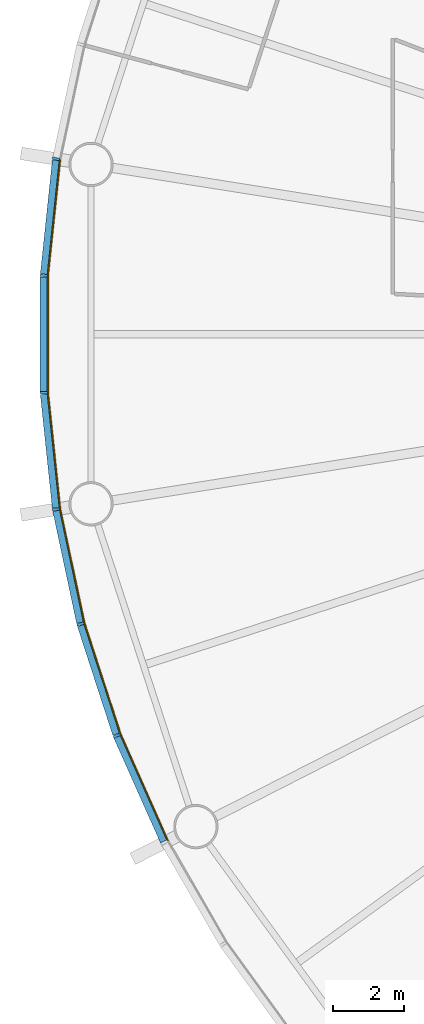
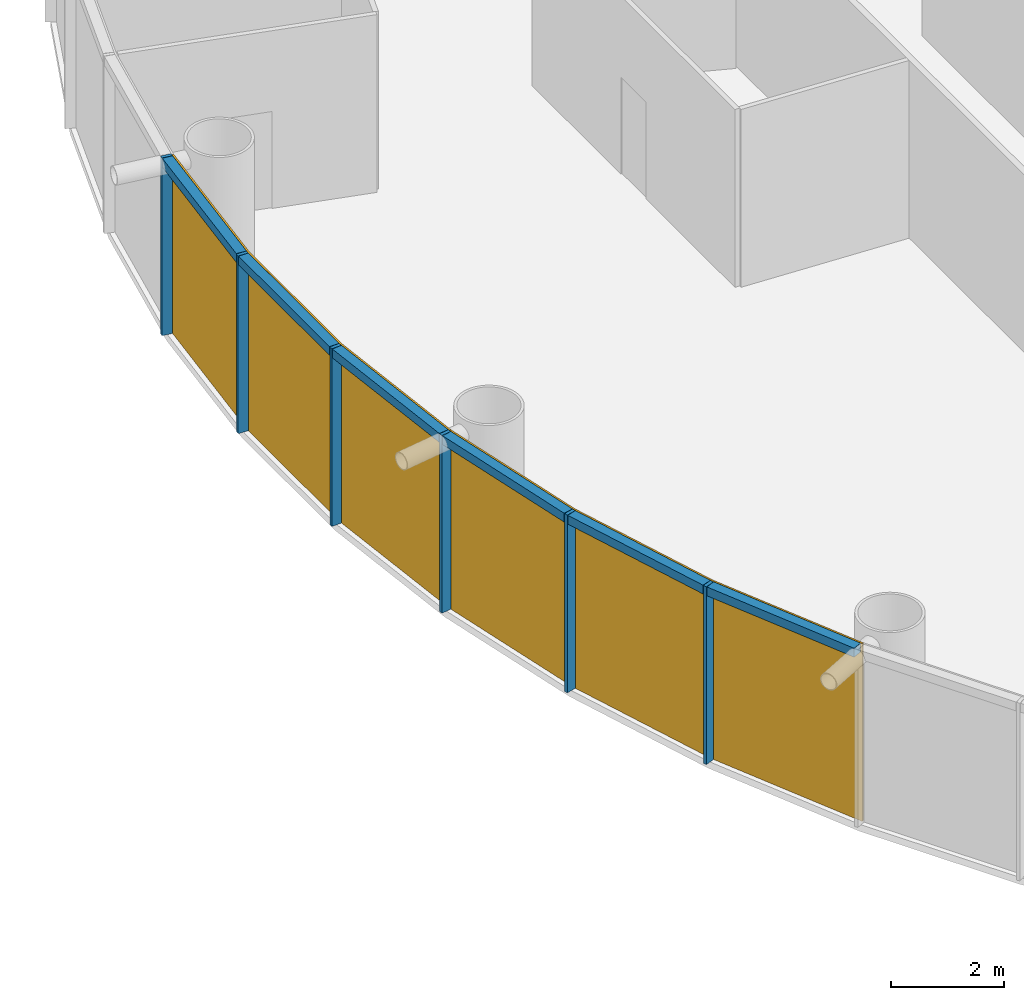
# One storey, part 7 of 12: 12 members, 2 curtain walls.
"""IFC4 building model written with IfcOpenShell, lengths in metres."""

from ifc_helpers import new_model, si_unit, direction, frame, origin, origin_2d, place, context, subcontext, project, spatial, polyline, rectangle, outline, extrude, material, layer, layer_set, material_profile, profile_set, type_object, element, aggregate, save


model = new_model("IFC4")

# Units and contexts
model_context = context("Model", 3, precision=1e-05, world=origin(), true_north=direction((0.0, 1.0)))
body_context = subcontext(model_context, "Body", "Model", "MODEL_VIEW")
ifc_project = project(units=[si_unit("LENGTHUNIT", "METRE"), si_unit("AREAUNIT", "SQUARE_METRE"), si_unit("VOLUMEUNIT", "CUBIC_METRE"), si_unit("PLANEANGLEUNIT", "RADIAN"), si_unit("MASSUNIT", "GRAM", prefix="KILO")], contexts=[model_context])

# Member
ifc_material_1 = material(Name="Anodised aluminium", Category="aluminium")
ifc_material_profile_1 = material_profile(ifc_material_1, rectangle(XDim=0.070068359375, YDim=0.199951171875, at=origin_2d()), Name="Mullion 70 x 200 mm anodised aluminium")
ifc_profile_set_1 = profile_set([ifc_material_profile_1], Name="Anodised aluminium")
member_type_1 = type_object("IfcMemberType", Name="Mullion 70 x 200 mm anodised aluminium", PredefinedType="MULLION", material=ifc_profile_set_1)
site_placement = place(None, origin())
building_placement = place(site_placement, origin())
storey_placement = place(building_placement, frame((0.0, 0.0, 128.0)))
member_1_placement = place(storey_placement, frame((58.7890625, 84.943359375, 0.0), z_axis=(0.0, 0.0, 1.0), x_axis=(-0.15643446504, -0.987688340595, 0.0)))
member_1 = element("IfcMember", 1, at=member_1_placement, type_object=member_type_1, Name="MULLION L29-27", PredefinedType="MULLION", context=body_context, shape_type="SweptSolid", body=[
    extrude(rectangle(XDim=0.070068359375, YDim=0.199951171875, at=origin_2d()), origin(), (0.0, 0.0, 1.0), 3.85009765625),
])

member_2_placement = place(storey_placement, frame((58.443359375, 81.65380859375, 0.0), z_axis=(0.0, 0.0, 1.0), x_axis=(-0.052335956243, -0.998629534755, 0.0)))
member_2 = element("IfcMember", 2, at=member_2_placement, type_object=member_type_1, Name="MULLION L29-28", PredefinedType="MULLION", context=body_context, shape_type="SweptSolid", body=[
    extrude(rectangle(XDim=0.070068359375, YDim=0.199951171875, at=origin_2d()), origin(), (0.0, 0.0, 1.0), 3.85009765625),
])

member_3_placement = place(storey_placement, frame((58.443359375, 78.34619140625, 0.0), z_axis=(0.0, 0.0, 1.0), x_axis=(0.052335956243, -0.998629534755, 0.0)))
member_3 = element("IfcMember", 3, at=member_3_placement, type_object=member_type_1, Name="MULLION L29-29", PredefinedType="MULLION", context=body_context, shape_type="SweptSolid", body=[
    extrude(rectangle(XDim=0.070068359375, YDim=0.199951171875, at=origin_2d()), origin(), (0.0, 0.0, 1.0), 3.85009765625),
])

member_4_placement = place(storey_placement, frame((58.7890625, 75.056640625, 0.0), z_axis=(0.0, 0.0, 1.0), x_axis=(0.15643446504, -0.987688340595, 0.0)))
member_4 = element("IfcMember", 4, at=member_4_placement, type_object=member_type_1, Name="MULLION L29-30", PredefinedType="MULLION", context=body_context, shape_type="SweptSolid", body=[
    extrude(rectangle(XDim=0.070068359375, YDim=0.199951171875, at=origin_2d()), origin(), (0.0, 0.0, 1.0), 3.85009765625),
])

member_5_placement = place(storey_placement, frame((59.476806640625, 71.8212890625, 0.0), z_axis=(0.0, 0.0, 1.0), x_axis=(0.258819045103, -0.965925826289, 0.0)))
member_5 = element("IfcMember", 5, at=member_5_placement, type_object=member_type_1, Name="MULLION L29-31", PredefinedType="MULLION", context=body_context, shape_type="SweptSolid", body=[
    extrude(rectangle(XDim=0.070068359375, YDim=0.199951171875, at=origin_2d()), origin(), (0.0, 0.0, 1.0), 3.85009765625),
])

member_6_placement = place(storey_placement, frame((60.498779296875, 68.675537109375, 0.0), z_axis=(0.0, 0.0, 1.0), x_axis=(0.358367949545, -0.933580426497, 0.0)))
member_6 = element("IfcMember", 6, at=member_6_placement, type_object=member_type_1, Name="MULLION L29-32", PredefinedType="MULLION", context=body_context, shape_type="SweptSolid", body=[
    extrude(rectangle(XDim=0.070068359375, YDim=0.199951171875, at=origin_2d()), origin(), (0.0, 0.0, 1.0), 3.85009765625),
])

ifc_material_2 = material(Name="Anodised aluminium", Category="aluminium")
ifc_material_profile_2 = material_profile(ifc_material_2, rectangle(XDim=0.199951171875, YDim=0.18994140625, at=origin_2d()), Name="Transom 190 x 200 mm anodised aluminium")
ifc_profile_set_2 = profile_set([ifc_material_profile_2], Name="Anodised aluminium")
member_type_2 = type_object("IfcMemberType", Name="Transom 190 x 200 mm anodised aluminium", PredefinedType="USERDEFINED", material=ifc_profile_set_2)
member_7_placement = place(storey_placement, frame((58.78466796875, 84.9033203125, 3.7548828125), z_axis=(-0.104550890115, -0.994519537956, 0.0), x_axis=(0.994519537956, -0.104550890115, 0.0)))
member_7 = element("IfcMember", 7, at=member_7_placement, type_object=member_type_2, Name="TRANSOM L29-27", ObjectType="TRANSOM", PredefinedType="USERDEFINED", context=body_context, shape_type="SweptSolid", body=[
    extrude(rectangle(XDim=0.199951171875, YDim=0.18994140625, at=origin_2d()), origin(), (0.0, 0.0, 1.0), 3.22705078125),
])

member_8_placement = place(storey_placement, frame((58.443115234375, 81.613525390625, 3.7548828125), z_axis=(0.0, -1.0, 0.0), x_axis=(1.0, 0.0, 0.0)))
member_8 = element("IfcMember", 8, at=member_8_placement, type_object=member_type_2, Name="TRANSOM L29-28", ObjectType="TRANSOM", PredefinedType="USERDEFINED", context=body_context, shape_type="SweptSolid", body=[
    extrude(rectangle(XDim=0.199951171875, YDim=0.18994140625, at=origin_2d()), origin(), (0.0, 0.0, 1.0), 3.22705078125),
])

member_9_placement = place(storey_placement, frame((58.447265625, 78.30615234375, 3.7548828125), z_axis=(0.104550890115, -0.994519537956, 0.0), x_axis=(0.994519537956, 0.104550890115, 0.0)))
member_9 = element("IfcMember", 9, at=member_9_placement, type_object=member_type_2, Name="TRANSOM L29-29", ObjectType="TRANSOM", PredefinedType="USERDEFINED", context=body_context, shape_type="SweptSolid", body=[
    extrude(rectangle(XDim=0.199951171875, YDim=0.18994140625, at=origin_2d()), origin(), (0.0, 0.0, 1.0), 3.22705078125),
])

member_10_placement = place(storey_placement, frame((58.79736328125, 75.017333984375, 3.7548828125), z_axis=(0.207885898771, -0.978153082647, 0.0), x_axis=(0.978153082647, 0.207885898771, 0.0)))
member_10 = element("IfcMember", 10, at=member_10_placement, type_object=member_type_2, Name="TRANSOM L29-30", ObjectType="TRANSOM", PredefinedType="USERDEFINED", context=body_context, shape_type="SweptSolid", body=[
    extrude(rectangle(XDim=0.199951171875, YDim=0.18994140625, at=origin_2d()), origin(), (0.0, 0.0, 1.0), 3.227294921875),
])

member_11_placement = place(storey_placement, frame((59.489013671875, 71.782958984375, 3.7548828125), z_axis=(0.309046726844, -0.951046855117, 0.0), x_axis=(0.951046855117, 0.309046726844, 0.0)))
member_11 = element("IfcMember", 11, at=member_11_placement, type_object=member_type_2, Name="TRANSOM L29-31", ObjectType="TRANSOM", PredefinedType="USERDEFINED", context=body_context, shape_type="SweptSolid", body=[
    extrude(rectangle(XDim=0.199951171875, YDim=0.18994140625, at=origin_2d()), origin(), (0.0, 0.0, 1.0), 3.22705078125),
])

member_12_placement = place(storey_placement, frame((60.51513671875, 68.638671875, 3.7548828125), z_axis=(0.406728032322, -0.913549291349, 0.0), x_axis=(0.913549291349, 0.406728032322, 0.0)))
member_12 = element("IfcMember", 12, at=member_12_placement, type_object=member_type_2, Name="TRANSOM L29-32", ObjectType="TRANSOM", PredefinedType="USERDEFINED", context=body_context, shape_type="SweptSolid", body=[
    extrude(rectangle(XDim=0.199951171875, YDim=0.18994140625, at=origin_2d()), origin(), (0.0, 0.0, 1.0), 3.22705078125),
])

# Site, building, storey
site = spatial("IfcSite", under=ifc_project, at=site_placement, CompositionType="ELEMENT")
building = spatial("IfcBuilding", under=site, at=building_placement, Name="Entoto Ring Tower", CompositionType="ELEMENT")
storey = spatial("IfcBuildingStorey", under=building, at=storey_placement, Name="L29", CompositionType="ELEMENT", Elevation=128.0)

# Curtain wall
ifc_material_3 = material(Name="Clear low-iron glass", Category="glass")
ifc_layer = layer(ifc_material_3, 0.035888671875)
ifc_layer_set = layer_set([ifc_layer], Name="Clear low-iron glass")
curtain_wall_type = type_object("IfcCurtainWallType", Name="Curtain wall system CW2 glazing 36 mm", PredefinedType="NOTDEFINED", material=ifc_layer_set)
curtain_wall_1_placement = place(storey_placement, origin())
curtain_wall_1 = element("IfcCurtainWall", 13, at=curtain_wall_1_placement, inside=storey, type_object=curtain_wall_type, Name="CW2 L29-10", PredefinedType="NOTDEFINED", context=body_context, shape_type="SweptSolid", body=[
    extrude(outline(polyline([(58.8876953125, 84.927734375), (58.543212890625, 81.648681640625), (58.543212890625, 78.351318359375), (58.8876953125, 75.072265625), (58.92333984375, 75.077880859375), (58.5791015625, 78.353271484375), (58.5791015625, 81.646728515625), (58.92333984375, 84.922119140625), (58.8876953125, 84.927734375)])), origin(), (0.0, 0.0, 1.0), 3.85009765625),
])

aggregate(curtain_wall_1, [member_1, member_2, member_3, member_7, member_8, member_9])

curtain_wall_2_placement = place(storey_placement, origin())
curtain_wall_2 = element("IfcCurtainWall", 14, at=curtain_wall_2_placement, inside=storey, type_object=curtain_wall_type, Name="CW2 L29-11", PredefinedType="NOTDEFINED", context=body_context, shape_type="SweptSolid", body=[
    extrude(outline(polyline([(58.8876953125, 75.072265625), (59.5732421875, 71.84716796875), (60.59228515625, 68.71142578125), (61.933349609375, 65.69921875), (61.96533203125, 65.715576171875), (60.6259765625, 68.724365234375), (59.608154296875, 71.8564453125), (58.92333984375, 75.077880859375), (58.8876953125, 75.072265625)])), origin(), (0.0, 0.0, 1.0), 3.85009765625),
])

aggregate(curtain_wall_2, [member_4, member_5, member_6, member_10, member_11, member_12])

save(model, "model.ifc")
